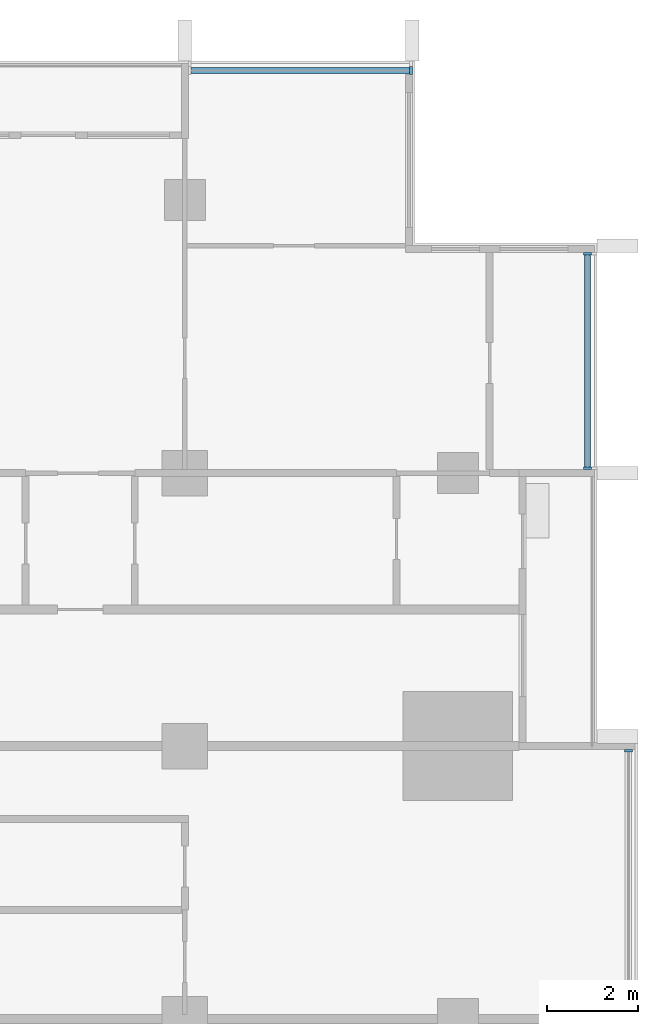
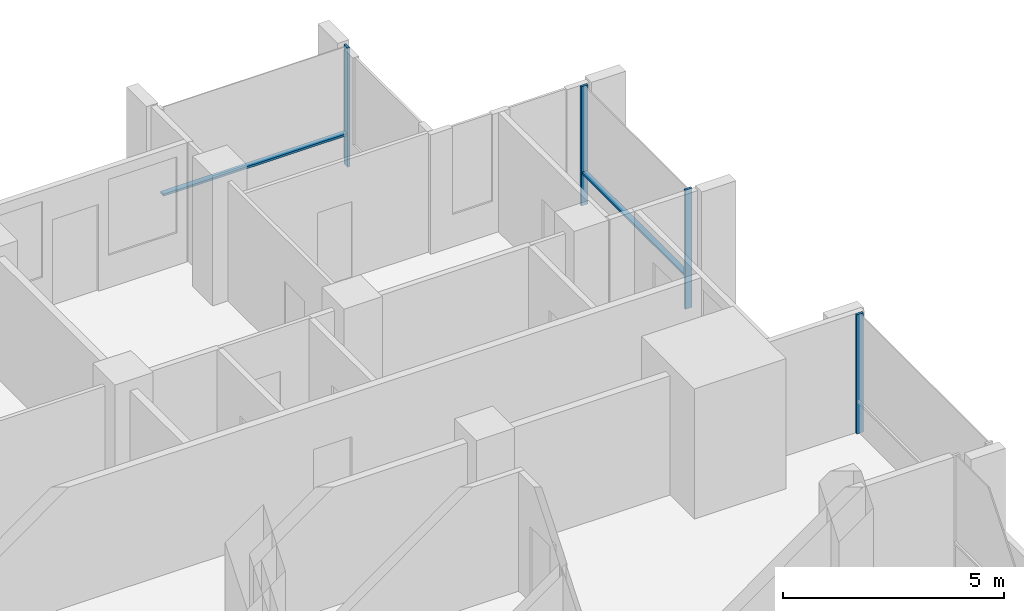
# One storey, part 5 of 16: 6 members, 3 elements without a shape of their own.
"""IFC4 building model written with IfcOpenShell, lengths in metres."""

import ifcopenshell
import ifcopenshell.guid

model = None  # the IFC model being written
_history = None  # IfcOwnerHistory: only IFC2X3 demands one
_inside = {}  # id of a spatial element -> (the spatial element, [elements in it])
_under = {}  # id of a project, library or spatial element -> (it, [spatial elements below it])
_declared = {}  # id of a project -> (the project, [libraries it declares])
_typed = {}  # id of a type object -> (the type object, [elements of that type])
_made_of = {}  # id of a material, layer set ... -> (it, [elements and type objects made of it])


def new_model(schema):
    """Start an empty IFC model of exactly this schema.

    Asked for "IFC4X3", IfcOpenShell would pick the latest addendum, in which some entities
    have other attributes; the version numbers below select the first issue.
    IFC2X3 requires an IfcOwnerHistory on every rooted entity: one is made here for all.
    """
    global model, _history
    if schema == "IFC4X3":
        model = ifcopenshell.file(schema_version=(4, 3, 0, 0))
    else:
        model = ifcopenshell.file(schema=schema)
    _inside.clear()
    _under.clear()
    _declared.clear()
    _typed.clear()
    _made_of.clear()
    _history = None
    if model.schema == "IFC2X3":
        org = make("IfcOrganization", Name="unknown")
        user = make(
            "IfcPersonAndOrganization",
            ThePerson=make("IfcPerson", FamilyName="unknown"),
            TheOrganization=org,
        )
        app = make(
            "IfcApplication",
            ApplicationDeveloper=org,
            Version="unknown",
            ApplicationFullName="unknown",
            ApplicationIdentifier="unknown",
        )
        _history = make(
            "IfcOwnerHistory",
            OwningUser=user,
            OwningApplication=app,
            ChangeAction="ADDED",
            CreationDate=0,
        )
    return model


def make(cls, **values):
    """One entity of the class cls with the attributes given. An attribute that is None is left unset."""
    return model.create_entity(
        cls, **{name: value for name, value in values.items() if value is not None}
    )


def rooted(cls, **values):
    """An entity with a GlobalId (a new one), such as an element, a storey or a relation."""
    return make(cls, GlobalId=ifcopenshell.guid.new(), OwnerHistory=_history, **values)


def si_unit(unit_type, name, prefix=None):
    """IfcSIUnit, for example si_unit("LENGTHUNIT", "METRE", prefix="MILLI")."""
    return make("IfcSIUnit", UnitType=unit_type, Prefix=prefix, Name=name)


def assignment(units):
    """IfcUnitAssignment: the units of a project."""
    return None if units is None else make("IfcUnitAssignment", Units=units)


def point(xyz):
    """IfcCartesianPoint."""
    return None if xyz is None else make("IfcCartesianPoint", Coordinates=xyz)


def direction(xyz):
    """IfcDirection."""
    return None if xyz is None else make("IfcDirection", DirectionRatios=xyz)


def frame(location, z_axis=None, x_axis=None):
    """IfcAxis2Placement3D, a coordinate frame: its origin and axes. An axis left out is left unset."""
    return make(
        "IfcAxis2Placement3D",
        Location=point(location),
        Axis=direction(z_axis),
        RefDirection=direction(x_axis),
    )


def frame_2d(location, x_axis=None):
    """IfcAxis2Placement2D, a coordinate frame in the plane: its origin and x axis."""
    return make(
        "IfcAxis2Placement2D", Location=point(location), RefDirection=direction(x_axis)
    )


def origin():
    """The frame at (0, 0, 0) with its axes left unset."""
    return frame((0.0, 0.0, 0.0))


def origin_2d():
    """The frame at (0, 0) in the plane with its x axis left unset."""
    return frame_2d((0.0, 0.0))


def place(relative_to, where):
    """IfcLocalPlacement: puts the frame where relative to a parent placement (None: the world)."""
    return make(
        "IfcLocalPlacement", PlacementRelTo=relative_to, RelativePlacement=where
    )


def context(
    kind, dimensions, precision=None, world=None, true_north=None, identifier=None
):
    """IfcGeometricRepresentationContext, for example the 3D "Model" context."""
    return make(
        "IfcGeometricRepresentationContext",
        ContextIdentifier=identifier,
        ContextType=kind,
        CoordinateSpaceDimension=dimensions,
        Precision=precision,
        WorldCoordinateSystem=world,
        TrueNorth=true_north,
    )


def subcontext(parent, identifier, kind, view, scale=None):
    """IfcGeometricRepresentationSubContext, for example "Body" below "Model"."""
    return make(
        "IfcGeometricRepresentationSubContext",
        ContextIdentifier=identifier,
        ContextType=kind,
        ParentContext=parent,
        TargetScale=scale,
        TargetView=view,
    )


def project(units=None, contexts=None):
    """IfcProject with its units and contexts."""
    return rooted(
        "IfcProject",
        Name="project",
        RepresentationContexts=contexts,
        UnitsInContext=assignment(units),
    )


def spatial(cls, under=None, at=None, **own):
    """A site, building, storey or space (cls), placed at a placement, below another one or the project."""
    s = rooted(cls, ObjectPlacement=at, **own)
    if under is not None:
        _under.setdefault(under.id(), (under, []))[1].append(s)
    return s


def profile(cls, at=None, kind="AREA", **sizes):
    """A parametric profile (cls). Its sizes go by their IFC names, for example OverallWidth=200.0."""
    return make(cls, ProfileType=kind, Position=at, **sizes)


def rectangle(**sizes):
    """IfcRectangleProfileDef."""
    return profile("IfcRectangleProfileDef", **sizes)


def extrude(swept, where, along, depth):
    """IfcExtrudedAreaSolid: the profile swept, set in the frame where, extruded along a direction by depth."""
    return make(
        "IfcExtrudedAreaSolid",
        SweptArea=swept,
        Position=where,
        ExtrudedDirection=direction(along),
        Depth=depth,
    )


def shape(context_of_items, identifier, shape_type, items):
    """IfcShapeRepresentation: the items that make up one representation, for example the "Body"."""
    return make(
        "IfcShapeRepresentation",
        ContextOfItems=context_of_items,
        RepresentationIdentifier=identifier,
        RepresentationType=shape_type,
        Items=items,
    )


def material(Name=None, Category=None):
    """IfcMaterial."""
    return make("IfcMaterial", Name=Name, Category=Category)


def material_profile(
    of_material, cross_section, Name=None, Category=None, Priority=None
):
    """IfcMaterialProfile: a cross section and its material."""
    return make(
        "IfcMaterialProfile",
        Name=Name,
        Material=of_material,
        Profile=cross_section,
        Priority=Priority,
        Category=Category,
    )


def profile_set(profiles, Name=None, composite=None):
    """IfcMaterialProfileSet."""
    return make(
        "IfcMaterialProfileSet",
        Name=Name,
        MaterialProfiles=profiles,
        CompositeProfile=composite,
    )


def made_of(thing, what):
    """Note that an element or type object is made of a material, layer set ...; save() writes the relation."""
    if what is not None:
        _made_of.setdefault(what.id(), (what, []))[1].append(thing)
    return thing


def type_object(cls, material=None, **own):
    """A type object (cls), such as IfcWallType, which elements share."""
    return made_of(rooted(cls, **own), material)


def element(
    cls,
    number,
    at=None,
    inside=None,
    cuts=None,
    type_object=None,
    material=None,
    context=None,
    identifier="Body",
    shape_type=None,
    held_by="IfcProductDefinitionShape",
    body=None,
    shapes=None,
    **own,
):
    """One element of the class cls, such as IfcWall. Its Tag is "e" and its number.

    at: its placement. inside: the storey or other place that contains it. cuts: it is an
    opening in that element (IfcRelVoidsElement). A single representation is given by context,
    identifier, shape_type and body (its items); several are given by shapes. held_by: the class
    of the entity that holds the representations. save() writes the other relations.
    """
    e = rooted(cls, Tag="e%d" % number, ObjectPlacement=at, **own)
    if body is not None:
        shapes = [shape(context, identifier, shape_type, body)]
    if shapes is not None:
        e.Representation = make(held_by, Representations=shapes)
    if inside is not None:
        _inside.setdefault(inside.id(), (inside, []))[1].append(e)
    if cuts is not None:
        rooted(
            "IfcRelVoidsElement", RelatingBuildingElement=cuts, RelatedOpeningElement=e
        )
    if type_object is not None:
        _typed.setdefault(type_object.id(), (type_object, []))[1].append(e)
    return made_of(e, material)


def aggregate(whole, parts):
    """IfcRelAggregates: a whole, such as a stair, and the parts it consists of."""
    return rooted("IfcRelAggregates", RelatingObject=whole, RelatedObjects=parts)


def save(model, path):
    """Write the relations noted so far, then the file.

    IfcRelAggregates (storeys below a building ...), IfcRelContainedInSpatialStructure (elements
    in a storey), IfcRelDefinesByType, IfcRelAssociatesMaterial and IfcRelDeclares: one each for
    every whole, place, type object, material and project.
    """
    for whole, parts in _under.values():
        aggregate(whole, parts)
    for where, things in _inside.values():
        rooted(
            "IfcRelContainedInSpatialStructure",
            RelatedElements=things,
            RelatingStructure=where,
        )
    for kind, things in _typed.values():
        rooted("IfcRelDefinesByType", RelatedObjects=things, RelatingType=kind)
    for what, things in _made_of.values():
        rooted("IfcRelAssociatesMaterial", RelatedObjects=things, RelatingMaterial=what)
    for by, libraries in _declared.values():
        rooted("IfcRelDeclares", RelatingContext=by, RelatedDefinitions=libraries)
    model.write(path)


model = new_model("IFC4")

# Units and contexts
model_context = context("Model", 3, precision=1e-05, world=origin(), true_north=direction((0.0, 1.0)))
body_context = subcontext(model_context, "Body", "Model", "MODEL_VIEW")
ifc_project = project(units=[si_unit("LENGTHUNIT", "METRE"), si_unit("AREAUNIT", "SQUARE_METRE"), si_unit("VOLUMEUNIT", "CUBIC_METRE"), si_unit("PLANEANGLEUNIT", "RADIAN"), si_unit("MASSUNIT", "GRAM", prefix="KILO")], contexts=[model_context])

# Site, building, storey
site_placement = place(None, origin())
site = spatial("IfcSite", under=ifc_project, at=site_placement, CompositionType="ELEMENT")
building_placement = place(site_placement, origin())
building = spatial("IfcBuilding", under=site, at=building_placement, Name="Finial Court Residences", CompositionType="ELEMENT")
storey_placement = place(building_placement, frame((0.0, 0.0, 160.10009765625)))
storey = spatial("IfcBuildingStorey", under=building, at=storey_placement, Name="L39", CompositionType="ELEMENT", Elevation=160.10009765625)

# Curtain wall, member
ifc_material = material(Name="Bronze anodised aluminium", Category="aluminium")
curtain_wall_type = type_object("IfcCurtainWallType", Name="Unitised curtain wall, upper zones", PredefinedType="NOTDEFINED", material=ifc_material)
curtain_wall_1_placement = place(storey_placement, origin())
curtain_wall_1 = element("IfcCurtainWall", 1, at=curtain_wall_1_placement, inside=storey, type_object=curtain_wall_type, Name="E-L39-CW-N3", PredefinedType="NOTDEFINED")
ifc_material_profile_1 = material_profile(ifc_material, rectangle(XDim=0.175048828125, YDim=0.06005859375, at=origin_2d()), Name="CW2 mullion 60 x 175")
ifc_profile_set_1 = profile_set([ifc_material_profile_1], Name="Bronze anodised aluminium")
member_type_1 = type_object("IfcMemberType", Name="CW2 mullion 60 x 175", PredefinedType="MULLION", material=ifc_profile_set_1)
member_1_placement = place(storey_placement, frame((15.469970703125, 22.35009765625, 0.0), z_axis=(0.0, 0.0, 1.0), x_axis=(0.0, 1.0, 0.0)))
member_1 = element("IfcMember", 2, at=member_1_placement, type_object=member_type_1, Name="CW2 mullion 2", PredefinedType="MULLION", context=body_context, shape_type="SweptSolid", body=[
    extrude(rectangle(XDim=0.175048828125, YDim=0.06005859375, at=origin_2d()), origin(), (0.0, 0.0, 1.0), 3.2998046875),
])

curtain_wall_2_placement = place(storey_placement, origin())
curtain_wall_2 = element("IfcCurtainWall", 3, at=curtain_wall_2_placement, inside=storey, type_object=curtain_wall_type, Name="E-L39-CW-E5", PredefinedType="NOTDEFINED")
member_2_placement = place(storey_placement, frame((20.25, 7.39501953125, 0.0), z_axis=(0.0, 0.0, 1.0), x_axis=(-1.0, 0.0, 0.0)))
member_2 = element("IfcMember", 4, at=member_2_placement, type_object=member_type_1, Name="CW2 mullion 2", PredefinedType="MULLION", context=body_context, shape_type="SweptSolid", body=[
    extrude(rectangle(XDim=0.175048828125, YDim=0.06005859375, at=origin_2d()), origin(), (0.0, 0.0, 1.0), 3.2998046875),
])
aggregate(curtain_wall_2, [member_2])

# Curtain wall, members
curtain_wall_3_placement = place(storey_placement, origin())
curtain_wall_3 = element("IfcCurtainWall", 5, at=curtain_wall_3_placement, inside=storey, type_object=curtain_wall_type, Name="E-L39-CW-E6", PredefinedType="NOTDEFINED")
member_3_placement = place(storey_placement, frame((19.35009765625, 13.60498046875, 0.0), z_axis=(0.0, 0.0, 1.0), x_axis=(-1.0, 0.0, 0.0)))
member_3 = element("IfcMember", 6, at=member_3_placement, type_object=member_type_1, Name="CW2 mullion 1", PredefinedType="MULLION", context=body_context, shape_type="SweptSolid", body=[
    extrude(rectangle(XDim=0.175048828125, YDim=0.06005859375, at=origin_2d()), origin(), (0.0, 0.0, 1.0), 3.2998046875),
])
member_4_placement = place(storey_placement, frame((19.35009765625, 18.320068359375, 0.0), z_axis=(0.0, 0.0, 1.0), x_axis=(-1.0, 0.0, 0.0)))
member_4 = element("IfcMember", 7, at=member_4_placement, type_object=member_type_1, Name="CW2 mullion 2", PredefinedType="MULLION", context=body_context, shape_type="SweptSolid", body=[
    extrude(rectangle(XDim=0.175048828125, YDim=0.06005859375, at=origin_2d()), origin(), (0.0, 0.0, 1.0), 3.2998046875),
])

# Member
ifc_material_profile_2 = material_profile(ifc_material, rectangle(XDim=0.139892578125, YDim=0.06005859375, at=origin_2d()), Name="CW2 transom 60 x 140")
ifc_profile_set_2 = profile_set([ifc_material_profile_2], Name="Bronze anodised aluminium")
member_type_2 = type_object("IfcMemberType", Name="CW2 transom 60 x 140", PredefinedType="USERDEFINED", material=ifc_profile_set_2)
member_5_placement = place(storey_placement, frame((10.635009765625, 22.35009765625, 0.89990234375), z_axis=(1.0, 0.0, 0.0), x_axis=(0.0, 1.0, 0.0)))
member_5 = element("IfcMember", 8, at=member_5_placement, type_object=member_type_2, Name="CW2 transom 1.1", ObjectType="TRANSOM", PredefinedType="USERDEFINED", context=body_context, shape_type="SweptSolid", body=[
    extrude(rectangle(XDim=0.139892578125, YDim=0.06005859375, at=origin_2d()), origin(), (0.0, 0.0, 1.0), 4.804931640625),
])

aggregate(curtain_wall_1, [member_1, member_5])

member_6_placement = place(storey_placement, frame((19.35009765625, 13.635009765625, 0.89990234375), z_axis=(0.0, 1.0, 0.0), x_axis=(-1.0, 0.0, 0.0)))
member_6 = element("IfcMember", 9, at=member_6_placement, type_object=member_type_2, Name="CW2 transom 1.1", ObjectType="TRANSOM", PredefinedType="USERDEFINED", context=body_context, shape_type="SweptSolid", body=[
    extrude(rectangle(XDim=0.139892578125, YDim=0.06005859375, at=origin_2d()), origin(), (0.0, 0.0, 1.0), 4.655029296875),
])

aggregate(curtain_wall_3, [member_3, member_4, member_6])

save(model, "model.ifc")
